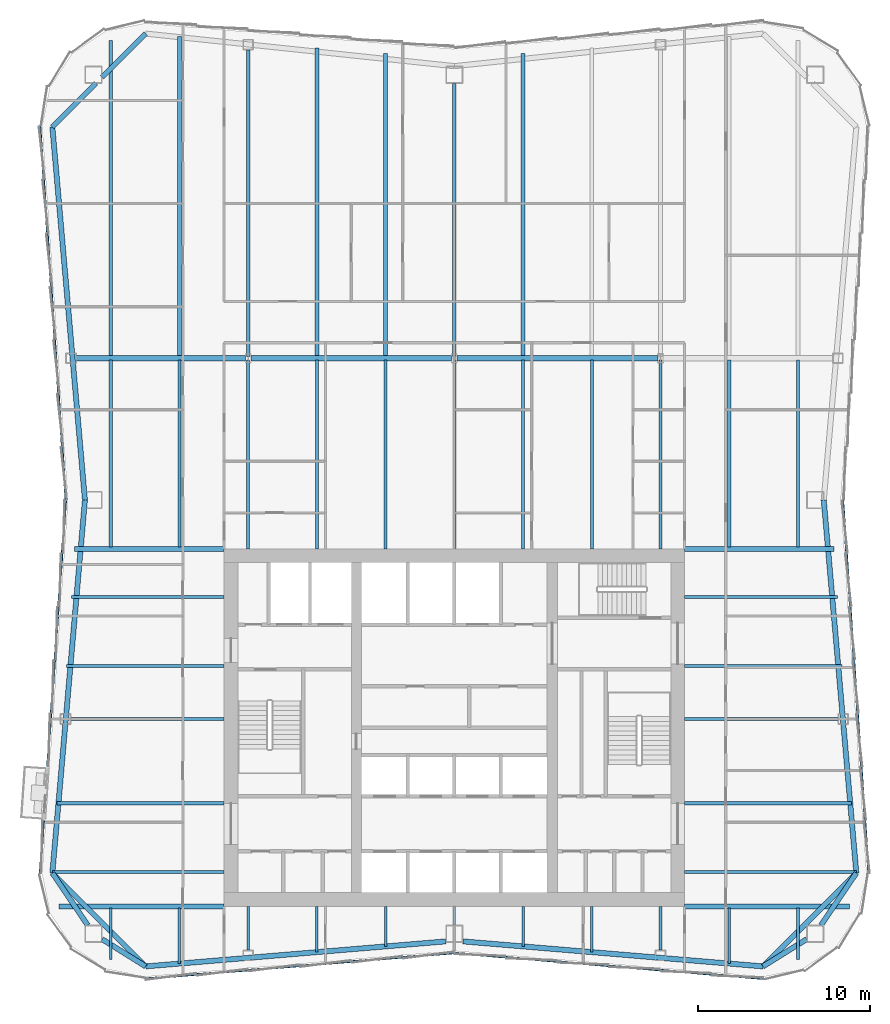
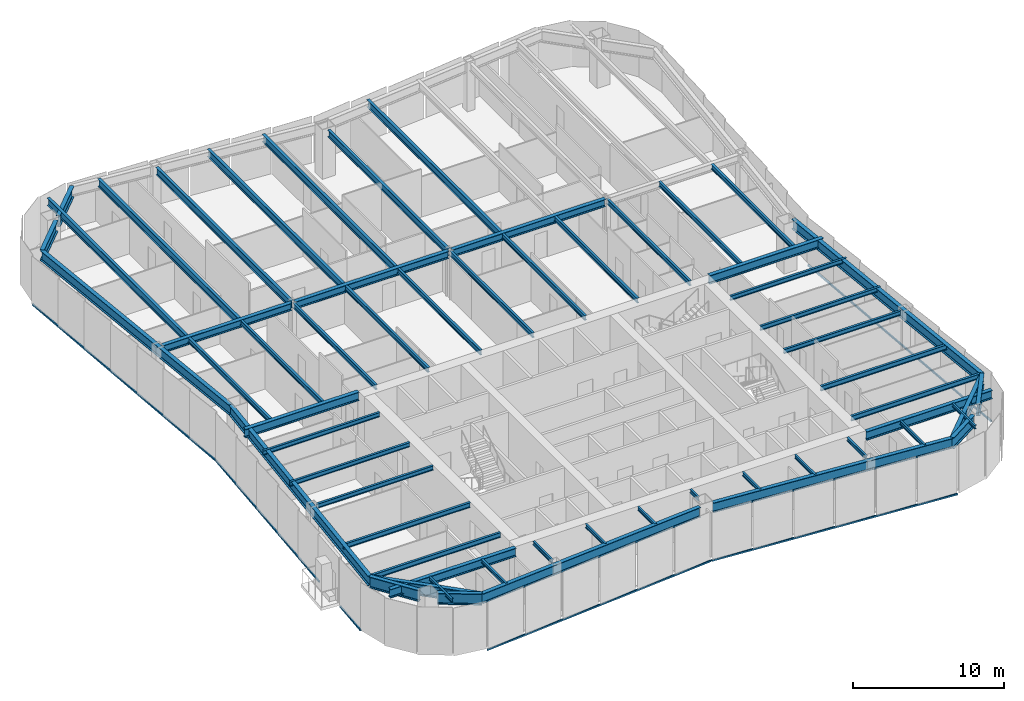
# One storey, part 3 of 12: 59 beams, 6 members, 3 elements without a shape of their own.
"""IFC4 building model written with IfcOpenShell, lengths in metres."""

from ifc_helpers import new_model, si_unit, direction, frame, origin, origin_2d, place, context, subcontext, project, spatial, rectangle, i_section, extrude, material, material_profile, profile_set, type_object, element, aggregate, save


model = new_model("IFC4")

# Units and contexts
model_context = context("Model", 3, precision=1e-05, world=origin(), true_north=direction((0.0, 1.0)))
body_context = subcontext(model_context, "Body", "Model", "MODEL_VIEW")
ifc_project = project(units=[si_unit("LENGTHUNIT", "METRE"), si_unit("AREAUNIT", "SQUARE_METRE"), si_unit("VOLUMEUNIT", "CUBIC_METRE"), si_unit("PLANEANGLEUNIT", "RADIAN"), si_unit("MASSUNIT", "GRAM", prefix="KILO")], contexts=[model_context])

# Site, building, storey
site_placement = place(None, origin())
site = spatial("IfcSite", under=ifc_project, at=site_placement, CompositionType="ELEMENT")
building_placement = place(site_placement, origin())
building = spatial("IfcBuilding", under=site, at=building_placement, Name="Verdant Reach Tower", CompositionType="ELEMENT")
storey_placement = place(building_placement, frame((0.0, 0.0, 270.0)))
storey = spatial("IfcBuildingStorey", under=building, at=storey_placement, Name="L62", CompositionType="ELEMENT", Elevation=270.0)

# Curtain wall, member
ifc_material_1 = material(Name="Anodised aluminium", Category="aluminium")
curtain_wall_type = type_object("IfcCurtainWallType", Name="EN-CW SYSTEM Z4", PredefinedType="NOTDEFINED", material=ifc_material_1)
curtain_wall_1_placement = place(storey_placement, origin())
curtain_wall_1 = element("IfcCurtainWall", 1, at=curtain_wall_1_placement, inside=storey, type_object=curtain_wall_type, Name="Curtain wall east, L62", PredefinedType="NOTDEFINED")
ifc_material_profile_1 = material_profile(ifc_material_1, rectangle(XDim=0.10009765625, YDim=0.1279296875, at=origin_2d()), Name="Transom 128x100")
ifc_profile_set_1 = profile_set([ifc_material_profile_1], Name="Anodised aluminium")
member_type = type_object("IfcMemberType", Name="EN-TRANSOM Z4", PredefinedType="USERDEFINED", material=ifc_profile_set_1)
member_1_placement = place(storey_placement, frame((24.109375, 19.52685546875, -0.285888671875), z_axis=(-0.068770489035, 0.997632507408, 0.0), x_axis=(-0.997632507408, -0.068770489035, 0.0)))
member_1 = element("IfcMember", 2, at=member_1_placement, type_object=member_type, Name="Transom east face part 1 1.1, L62", ObjectType="TRANSOM", PredefinedType="USERDEFINED", context=body_context, shape_type="SweptSolid", body=[
    extrude(rectangle(XDim=0.10009765625, YDim=0.1279296875, at=origin_2d()), origin(), (0.0, 0.0, 1.0), 21.74072265625),
])
aggregate(curtain_wall_1, [member_1])

# Curtain wall, members
curtain_wall_2_placement = place(storey_placement, origin())
curtain_wall_2 = element("IfcCurtainWall", 3, at=curtain_wall_2_placement, inside=storey, type_object=curtain_wall_type, Name="Curtain wall west, L62", PredefinedType="NOTDEFINED")
member_2_placement = place(storey_placement, frame((-24.109375, 62.97314453125, -0.285888671875), z_axis=(0.068770489035, -0.997632507408, 0.0), x_axis=(0.997632507408, 0.068770489035, 0.0)))
member_2 = element("IfcMember", 4, at=member_2_placement, type_object=member_type, Name="Transom west face part 1 1.1, L62", ObjectType="TRANSOM", PredefinedType="USERDEFINED", context=body_context, shape_type="SweptSolid", body=[
    extrude(rectangle(XDim=0.10009765625, YDim=0.1279296875, at=origin_2d()), origin(), (0.0, 0.0, 1.0), 21.74072265625),
])
member_3_placement = place(storey_placement, frame((-22.6142578125, 41.216064453125, -0.285888671875), z_axis=(-0.068829665926, -0.997628426363, 0.0), x_axis=(0.997628426363, -0.068829665926, 0.0)))
member_3 = element("IfcMember", 5, at=member_3_placement, type_object=member_type, Name="Transom west face part 2 1.1, L62", ObjectType="TRANSOM", PredefinedType="USERDEFINED", context=body_context, shape_type="SweptSolid", body=[
    extrude(rectangle(XDim=0.10009765625, YDim=0.1279296875, at=origin_2d()), origin(), (0.0, 0.0, 1.0), 15.4970703125),
])
member_4_placement = place(storey_placement, frame((-23.899658203125, 22.580810546875, -0.285888671875), z_axis=(-0.068509214601, -0.997650483644, 0.0), x_axis=(0.997650483644, -0.068509214601, 0.0)))
member_4 = element("IfcMember", 6, at=member_4_placement, type_object=member_type, Name="Transom west face part 2 2.1, L62", ObjectType="TRANSOM", PredefinedType="USERDEFINED", context=body_context, shape_type="SweptSolid", body=[
    extrude(rectangle(XDim=0.10009765625, YDim=0.1279296875, at=origin_2d()), origin(), (0.0, 0.0, 1.0), 3.06103515625),
])
aggregate(curtain_wall_2, [member_2, member_3, member_4])

curtain_wall_3_placement = place(storey_placement, origin())
curtain_wall_3 = element("IfcCurtainWall", 7, at=curtain_wall_3_placement, inside=storey, type_object=curtain_wall_type, Name="Curtain wall south, L62", PredefinedType="NOTDEFINED")
member_5_placement = place(storey_placement, frame((-17.972412109375, 13.39111328125, -0.285888671875), z_axis=(0.996549124771, 0.083005071637, 0.0), x_axis=(-0.083005071637, 0.996549124771, 0.0)))
member_5 = element("IfcMember", 8, at=member_5_placement, type_object=member_type, Name="Transom south face part 1 1.1, L62", ObjectType="TRANSOM", PredefinedType="USERDEFINED", context=body_context, shape_type="SweptSolid", body=[
    extrude(rectangle(XDim=0.10009765625, YDim=0.1279296875, at=origin_2d()), origin(), (0.0, 0.0, 1.0), 18.00048828125),
])
member_6_placement = place(storey_placement, frame((0.033935546875, 14.88525390625, -0.285888671875), z_axis=(0.996549124771, -0.083005071637, 0.0), x_axis=(0.083005071637, 0.996549124771, 0.0)))
member_6 = element("IfcMember", 9, at=member_6_placement, type_object=member_type, Name="Transom south face part 2 1.1, L62", ObjectType="TRANSOM", PredefinedType="USERDEFINED", context=body_context, shape_type="SweptSolid", body=[
    extrude(rectangle(XDim=0.10009765625, YDim=0.1279296875, at=origin_2d()), origin(), (0.0, 0.0, 1.0), 18.00048828125),
])
aggregate(curtain_wall_3, [member_5, member_6])

# Beams
ifc_material_2 = material(Name="Steel S355", Category="steel")
ifc_material_profile_2 = material_profile(ifc_material_2, i_section(OverallWidth=0.300048828125, OverallDepth=0.60009765625, WebThickness=0.015380859375, FlangeThickness=0.030029296875, FilletRadius=0.027099609375, at=origin_2d()), Name="HEB 600")
ifc_profile_set_2 = profile_set([ifc_material_profile_2], Name="Steel S355")
beam_type_1 = type_object("IfcBeamType", Name="ST-BEAM-HEB600", PredefinedType="BEAM", material=ifc_profile_set_2)
beam_1_placement = place(storey_placement, frame((-22.01904296875, 49.5, 3.570068359375), z_axis=(1.0, 0.0, 0.0), x_axis=(0.0, 1.0, 0.0)))
element("IfcBeam", 10, at=beam_1_placement, inside=storey, type_object=beam_type_1, Name="Row girder, L62", PredefinedType="BEAM", context=body_context, shape_type="SweptSolid", body=[
    extrude(i_section(OverallWidth=0.300048828125, OverallDepth=0.60009765625, WebThickness=0.015380859375, FlangeThickness=0.030029296875, FilletRadius=0.027099609375, at=origin_2d()), origin(), (0.0, 0.0, 1.0), 9.865966796875),
])
for number, where, z_axis, x_axis, name in (
    (11, (-11.846923828125, 49.5, 3.570068359375), (1.0, 0.0, 0.0), (0.0, 1.0, 0.0), "Row girder, L62"),
    (12, (0.153076171875, 49.5, 3.570068359375), (1.0, 0.0, 0.0), (0.0, 1.0, 0.0), "Row girder, L62"),
):
    element("IfcBeam", number, at=place(storey_placement, frame(where, z_axis=z_axis, x_axis=x_axis)), inside=storey, type_object=beam_type_1, Name=name, PredefinedType="BEAM", context=body_context, shape_type="SweptSolid", body=[
        extrude(i_section(OverallWidth=0.300048828125, OverallDepth=0.60009765625, WebThickness=0.015380859375, FlangeThickness=0.030029296875, FilletRadius=0.027099609375, at=origin_2d()), origin(), (0.0, 0.0, 1.0), 11.69384765625),
    ])
ifc_material_profile_3 = material_profile(ifc_material_2, i_section(OverallWidth=0.300048828125, OverallDepth=0.699951171875, WebThickness=0.01708984375, FlangeThickness=0.031982421875, FilletRadius=0.027099609375, at=origin_2d()), Name="HEB 700")
ifc_profile_set_3 = profile_set([ifc_material_profile_3], Name="Steel S355")
beam_type_2 = type_object("IfcBeamType", Name="ST-BEAM-HEB700", PredefinedType="BEAM", material=ifc_profile_set_3)
for number, where, z_axis, x_axis, name in (
    (13, (13.39990234375, 38.39990234375, 3.52001953125), (1.0, 0.0, 0.0), (0.0, 1.0, 0.0), "Trimmer beam, L62"),
    (14, (-13.39990234375, 38.39990234375, 3.52001953125), (-1.0, 0.0, 0.0), (0.0, -1.0, 0.0), "Trimmer beam, L62"),
):
    element("IfcBeam", number, at=place(storey_placement, frame(where, z_axis=z_axis, x_axis=x_axis)), inside=storey, type_object=beam_type_2, Name=name, PredefinedType="BEAM", context=body_context, shape_type="SweptSolid", body=[
        extrude(i_section(OverallWidth=0.300048828125, OverallDepth=0.699951171875, WebThickness=0.01708984375, FlangeThickness=0.031982421875, FilletRadius=0.027099609375, at=origin_2d()), origin(), (0.0, 0.0, 1.0), 8.6953125),
    ])
for number, where, z_axis, x_axis, name in (
    (15, (13.39990234375, 17.60009765625, 3.52001953125), (1.0, 0.0, 0.0), (0.0, 1.0, 0.0), "Trimmer beam, L62"),
    (16, (-13.39990234375, 17.60009765625, 3.52001953125), (-1.0, 0.0, 0.0), (0.0, -1.0, 0.0), "Trimmer beam, L62"),
):
    element("IfcBeam", number, at=place(storey_placement, frame(where, z_axis=z_axis, x_axis=x_axis)), inside=storey, type_object=beam_type_2, Name=name, PredefinedType="BEAM", context=body_context, shape_type="SweptSolid", body=[
        extrude(i_section(OverallWidth=0.300048828125, OverallDepth=0.699951171875, WebThickness=0.01708984375, FlangeThickness=0.031982421875, FilletRadius=0.027099609375, at=origin_2d()), origin(), (0.0, 0.0, 1.0), 9.6103515625),
    ])
ifc_material_profile_4 = material_profile(ifc_material_2, i_section(OverallWidth=0.302001953125, OverallDepth=0.909912109375, WebThickness=0.02099609375, FlangeThickness=0.0400390625, FilletRadius=0.030029296875, at=origin_2d()), Name="HEM 900")
ifc_profile_set_4 = profile_set([ifc_material_profile_4], Name="Steel S355")
beam_type_3 = type_object("IfcBeamType", Name="ST-BEAM-HEM900", PredefinedType="BEAM", material=ifc_profile_set_4)
beam_2_placement = place(storey_placement, frame((20.5, 15.687744140625, 3.4150390625), z_axis=(-0.848163521635, -0.529734500073, 0.0), x_axis=(0.529734500073, -0.848163521635, 0.0)))
element("IfcBeam", 17, at=beam_2_placement, inside=storey, type_object=beam_type_3, Name="Column stub beam, L62", PredefinedType="BEAM", context=body_context, shape_type="SweptSolid", body=[
    extrude(i_section(OverallWidth=0.302001953125, OverallDepth=0.909912109375, WebThickness=0.02099609375, FlangeThickness=0.0400390625, FilletRadius=0.030029296875, at=origin_2d()), origin(), (0.0, 0.0, 1.0), 2.98779296875),
])
beam_3_placement = place(storey_placement, frame((21.33837890625, 16.5, 3.4150390625), z_axis=(0.560703975309, 0.828016335631, 0.0), x_axis=(-0.828016335631, 0.560703975309, 0.0)))
element("IfcBeam", 18, at=beam_3_placement, inside=storey, type_object=beam_type_3, Name="Column stub beam, L62", PredefinedType="BEAM", context=body_context, shape_type="SweptSolid", body=[
    extrude(i_section(OverallWidth=0.302001953125, OverallDepth=0.909912109375, WebThickness=0.02099609375, FlangeThickness=0.0400390625, FilletRadius=0.030029296875, at=origin_2d()), origin(), (0.0, 0.0, 1.0), 3.669677734375),
])
beam_4_placement = place(storey_placement, frame((-20.5, 15.687744140625, 3.4150390625), z_axis=(0.848163521635, -0.529734500073, 0.0), x_axis=(0.529734500073, 0.848163521635, 0.0)))
element("IfcBeam", 19, at=beam_4_placement, inside=storey, type_object=beam_type_3, Name="Column stub beam, L62", PredefinedType="BEAM", context=body_context, shape_type="SweptSolid", body=[
    extrude(i_section(OverallWidth=0.302001953125, OverallDepth=0.909912109375, WebThickness=0.02099609375, FlangeThickness=0.0400390625, FilletRadius=0.030029296875, at=origin_2d()), origin(), (0.0, 0.0, 1.0), 2.98779296875),
])
beam_5_placement = place(storey_placement, frame((-21.33837890625, 16.5, 3.4150390625), z_axis=(-0.560703975309, 0.828016335631, 0.0), x_axis=(-0.828016335631, -0.560703975309, 0.0)))
element("IfcBeam", 20, at=beam_5_placement, inside=storey, type_object=beam_type_3, Name="Column stub beam, L62", PredefinedType="BEAM", context=body_context, shape_type="SweptSolid", body=[
    extrude(i_section(OverallWidth=0.302001953125, OverallDepth=0.909912109375, WebThickness=0.02099609375, FlangeThickness=0.0400390625, FilletRadius=0.030029296875, at=origin_2d()), origin(), (0.0, 0.0, 1.0), 3.669677734375),
])
ifc_material_profile_5 = material_profile(ifc_material_2, i_section(OverallWidth=0.14990234375, OverallDepth=0.300048828125, WebThickness=0.007080078125, FlangeThickness=0.0107421875, FilletRadius=0.014892578125, at=origin_2d()), Name="IPE 300")
ifc_profile_set_5 = profile_set([ifc_material_profile_5], Name="Steel S355")
beam_type_4 = type_object("IfcBeamType", Name="ST-JOIST-IPE300", PredefinedType="JOIST", material=ifc_profile_set_5)
beam_6_placement = place(storey_placement, frame((-20.0, 17.5, 3.719970703125), z_axis=(0.0, -1.0, 0.0), x_axis=(1.0, 0.0, 0.0)))
element("IfcBeam", 21, at=beam_6_placement, inside=storey, type_object=beam_type_4, Name="Floor joist, L62", PredefinedType="JOIST", context=body_context, shape_type="SweptSolid", body=[
    extrude(i_section(OverallWidth=0.14990234375, OverallDepth=0.300048828125, WebThickness=0.007080078125, FlangeThickness=0.0107421875, FilletRadius=0.014892578125, at=origin_2d()), origin(), (0.0, 0.0, 1.0), 2.990478515625),
])
beam_7_placement = place(storey_placement, frame((-16.0, 17.5, 3.719970703125), z_axis=(0.0, -1.0, 0.0), x_axis=(1.0, 0.0, 0.0)))
element("IfcBeam", 22, at=beam_7_placement, inside=storey, type_object=beam_type_4, Name="Floor joist, L62", PredefinedType="JOIST", context=body_context, shape_type="SweptSolid", body=[
    extrude(i_section(OverallWidth=0.14990234375, OverallDepth=0.300048828125, WebThickness=0.007080078125, FlangeThickness=0.0107421875, FilletRadius=0.014892578125, at=origin_2d()), origin(), (0.0, 0.0, 1.0), 3.231201171875),
])
beam_8_placement = place(storey_placement, frame((-12.0, 17.60009765625, 3.719970703125), z_axis=(0.0, -1.0, 0.0), x_axis=(1.0, 0.0, 0.0)))
element("IfcBeam", 23, at=beam_8_placement, inside=storey, type_object=beam_type_4, Name="Floor joist, L62", PredefinedType="JOIST", context=body_context, shape_type="SweptSolid", body=[
    extrude(i_section(OverallWidth=0.14990234375, OverallDepth=0.300048828125, WebThickness=0.007080078125, FlangeThickness=0.0107421875, FilletRadius=0.014892578125, at=origin_2d()), origin(), (0.0, 0.0, 1.0), 2.550048828125),
])
beam_9_placement = place(storey_placement, frame((-8.0, 17.60009765625, 3.719970703125), z_axis=(0.0, -1.0, 0.0), x_axis=(1.0, 0.0, 0.0)))
element("IfcBeam", 24, at=beam_9_placement, inside=storey, type_object=beam_type_4, Name="Floor joist, L62", PredefinedType="JOIST", context=body_context, shape_type="SweptSolid", body=[
    extrude(i_section(OverallWidth=0.14990234375, OverallDepth=0.300048828125, WebThickness=0.007080078125, FlangeThickness=0.0107421875, FilletRadius=0.014892578125, at=origin_2d()), origin(), (0.0, 0.0, 1.0), 2.664794921875),
])
beam_10_placement = place(storey_placement, frame((-4.0, 17.60009765625, 3.719970703125), z_axis=(0.0, -1.0, 0.0), x_axis=(1.0, 0.0, 0.0)))
element("IfcBeam", 25, at=beam_10_placement, inside=storey, type_object=beam_type_4, Name="Floor joist, L62", PredefinedType="JOIST", context=body_context, shape_type="SweptSolid", body=[
    extrude(i_section(OverallWidth=0.14990234375, OverallDepth=0.300048828125, WebThickness=0.007080078125, FlangeThickness=0.0107421875, FilletRadius=0.014892578125, at=origin_2d()), origin(), (0.0, 0.0, 1.0), 2.331298828125),
])
beam_11_placement = place(storey_placement, frame((0.0, 17.60009765625, 3.719970703125), z_axis=(0.0, -1.0, 0.0), x_axis=(1.0, 0.0, 0.0)))
element("IfcBeam", 26, at=beam_11_placement, inside=storey, type_object=beam_type_4, Name="Floor joist, L62", PredefinedType="JOIST", context=body_context, shape_type="SweptSolid", body=[
    extrude(i_section(OverallWidth=0.14990234375, OverallDepth=0.300048828125, WebThickness=0.007080078125, FlangeThickness=0.0107421875, FilletRadius=0.014892578125, at=origin_2d()), origin(), (0.0, 0.0, 1.0), 1.10009765625),
])
beam_12_placement = place(storey_placement, frame((4.0, 17.60009765625, 3.719970703125), z_axis=(0.0, -1.0, 0.0), x_axis=(1.0, 0.0, 0.0)))
element("IfcBeam", 27, at=beam_12_placement, inside=storey, type_object=beam_type_4, Name="Floor joist, L62", PredefinedType="JOIST", context=body_context, shape_type="SweptSolid", body=[
    extrude(i_section(OverallWidth=0.14990234375, OverallDepth=0.300048828125, WebThickness=0.007080078125, FlangeThickness=0.0107421875, FilletRadius=0.014892578125, at=origin_2d()), origin(), (0.0, 0.0, 1.0), 2.331298828125),
])
beam_13_placement = place(storey_placement, frame((8.0, 17.60009765625, 3.719970703125), z_axis=(0.0, -1.0, 0.0), x_axis=(1.0, 0.0, 0.0)))
element("IfcBeam", 28, at=beam_13_placement, inside=storey, type_object=beam_type_4, Name="Floor joist, L62", PredefinedType="JOIST", context=body_context, shape_type="SweptSolid", body=[
    extrude(i_section(OverallWidth=0.14990234375, OverallDepth=0.300048828125, WebThickness=0.007080078125, FlangeThickness=0.0107421875, FilletRadius=0.014892578125, at=origin_2d()), origin(), (0.0, 0.0, 1.0), 2.664794921875),
])
beam_14_placement = place(storey_placement, frame((12.0, 17.60009765625, 3.719970703125), z_axis=(0.0, -1.0, 0.0), x_axis=(1.0, 0.0, 0.0)))
element("IfcBeam", 29, at=beam_14_placement, inside=storey, type_object=beam_type_4, Name="Floor joist, L62", PredefinedType="JOIST", context=body_context, shape_type="SweptSolid", body=[
    extrude(i_section(OverallWidth=0.14990234375, OverallDepth=0.300048828125, WebThickness=0.007080078125, FlangeThickness=0.0107421875, FilletRadius=0.014892578125, at=origin_2d()), origin(), (0.0, 0.0, 1.0), 2.550048828125),
])
beam_15_placement = place(storey_placement, frame((16.0, 17.5, 3.719970703125), z_axis=(0.0, -1.0, 0.0), x_axis=(1.0, 0.0, 0.0)))
element("IfcBeam", 30, at=beam_15_placement, inside=storey, type_object=beam_type_4, Name="Floor joist, L62", PredefinedType="JOIST", context=body_context, shape_type="SweptSolid", body=[
    extrude(i_section(OverallWidth=0.14990234375, OverallDepth=0.300048828125, WebThickness=0.007080078125, FlangeThickness=0.0107421875, FilletRadius=0.014892578125, at=origin_2d()), origin(), (0.0, 0.0, 1.0), 3.231201171875),
])
beam_16_placement = place(storey_placement, frame((20.0, 17.5, 3.719970703125), z_axis=(0.0, -1.0, 0.0), x_axis=(1.0, 0.0, 0.0)))
element("IfcBeam", 31, at=beam_16_placement, inside=storey, type_object=beam_type_4, Name="Floor joist, L62", PredefinedType="JOIST", context=body_context, shape_type="SweptSolid", body=[
    extrude(i_section(OverallWidth=0.14990234375, OverallDepth=0.300048828125, WebThickness=0.007080078125, FlangeThickness=0.0107421875, FilletRadius=0.014892578125, at=origin_2d()), origin(), (0.0, 0.0, 1.0), 2.990478515625),
])
ifc_material_profile_6 = material_profile(ifc_material_2, i_section(OverallWidth=0.169921875, OverallDepth=0.360107421875, WebThickness=0.008056640625, FlangeThickness=0.0126953125, FilletRadius=0.01806640625, at=origin_2d()), Name="IPE 360")
ifc_profile_set_6 = profile_set([ifc_material_profile_6], Name="Steel S355")
beam_type_5 = type_object("IfcBeamType", Name="ST-JOIST-IPE360", PredefinedType="JOIST", material=ifc_profile_set_6)
for number, where, z_axis, x_axis, name in (
    (32, (13.39990234375, 28.5, 3.68994140625), (1.0, 0.0, 0.0), (0.0, 1.0, 0.0), "Floor joist, L62"),
    (33, (-13.39990234375, 28.5, 3.68994140625), (-1.0, 0.0, 0.0), (0.0, -1.0, 0.0), "Floor joist, L62"),
):
    element("IfcBeam", number, at=place(storey_placement, frame(where, z_axis=z_axis, x_axis=x_axis)), inside=storey, type_object=beam_type_5, Name=name, PredefinedType="JOIST", context=body_context, shape_type="SweptSolid", body=[
        extrude(i_section(OverallWidth=0.169921875, OverallDepth=0.360107421875, WebThickness=0.008056640625, FlangeThickness=0.0126953125, FilletRadius=0.01806640625, at=origin_2d()), origin(), (0.0, 0.0, 1.0), 8.929443359375),
    ])
for number, where, z_axis, x_axis, name in (
    (34, (13.39990234375, 31.60009765625, 3.68994140625), (1.0, 0.0, 0.0), (0.0, 1.0, 0.0), "Floor joist, L62"),
    (35, (-13.39990234375, 31.60009765625, 3.68994140625), (-1.0, 0.0, 0.0), (0.0, -1.0, 0.0), "Floor joist, L62"),
):
    element("IfcBeam", number, at=place(storey_placement, frame(where, z_axis=z_axis, x_axis=x_axis)), inside=storey, type_object=beam_type_5, Name=name, PredefinedType="JOIST", context=body_context, shape_type="SweptSolid", body=[
        extrude(i_section(OverallWidth=0.169921875, OverallDepth=0.360107421875, WebThickness=0.008056640625, FlangeThickness=0.0126953125, FilletRadius=0.01806640625, at=origin_2d()), origin(), (0.0, 0.0, 1.0), 9.164306640625),
    ])
for number, where, z_axis, x_axis, name in (
    (36, (13.39990234375, 35.60009765625, 3.68994140625), (1.0, 0.0, 0.0), (0.0, 1.0, 0.0), "Floor joist, L62"),
    (37, (-13.39990234375, 35.60009765625, 3.68994140625), (-1.0, 0.0, 0.0), (0.0, -1.0, 0.0), "Floor joist, L62"),
):
    element("IfcBeam", number, at=place(storey_placement, frame(where, z_axis=z_axis, x_axis=x_axis)), inside=storey, type_object=beam_type_5, Name=name, PredefinedType="JOIST", context=body_context, shape_type="SweptSolid", body=[
        extrude(i_section(OverallWidth=0.169921875, OverallDepth=0.360107421875, WebThickness=0.008056640625, FlangeThickness=0.0126953125, FilletRadius=0.01806640625, at=origin_2d()), origin(), (0.0, 0.0, 1.0), 8.88818359375),
    ])
ifc_material_profile_7 = material_profile(ifc_material_2, i_section(OverallWidth=0.179931640625, OverallDepth=0.39990234375, WebThickness=0.008544921875, FlangeThickness=0.013427734375, FilletRadius=0.02099609375, at=origin_2d()), Name="IPE 400")
ifc_profile_set_7 = profile_set([ifc_material_profile_7], Name="Steel S355")
beam_type_6 = type_object("IfcBeamType", Name="ST-JOIST-IPE400", PredefinedType="JOIST", material=ifc_profile_set_7)
for number, where, z_axis, x_axis, name in (
    (38, (-20.0, 38.5, 3.669921875), (0.0, 1.0, 0.0), (-1.0, 0.0, 0.0), "Floor joist, L62"),
    (39, (-16.0, 38.5, 3.669921875), (0.0, 1.0, 0.0), (-1.0, 0.0, 0.0), "Floor joist, L62"),
):
    element("IfcBeam", number, at=place(storey_placement, frame(where, z_axis=z_axis, x_axis=x_axis)), inside=storey, type_object=beam_type_6, Name=name, PredefinedType="JOIST", context=body_context, shape_type="SweptSolid", body=[
        extrude(i_section(OverallWidth=0.179931640625, OverallDepth=0.39990234375, WebThickness=0.008544921875, FlangeThickness=0.013427734375, FilletRadius=0.02099609375, at=origin_2d()), origin(), (0.0, 0.0, 1.0), 10.89990234375),
    ])
for number, where, z_axis, x_axis, name in (
    (40, (-12.0, 38.39990234375, 3.669921875), (0.0, 1.0, 0.0), (-1.0, 0.0, 0.0), "Floor joist, L62"),
    (41, (-8.0, 38.39990234375, 3.669921875), (0.0, 1.0, 0.0), (-1.0, 0.0, 0.0), "Floor joist, L62"),
    (42, (-4.0, 38.39990234375, 3.669921875), (0.0, 1.0, 0.0), (-1.0, 0.0, 0.0), "Floor joist, L62"),
    (43, (0.0, 38.39990234375, 3.669921875), (0.0, 1.0, 0.0), (-1.0, 0.0, 0.0), "Floor joist, L62"),
    (44, (4.0, 38.39990234375, 3.669921875), (0.0, 1.0, 0.0), (-1.0, 0.0, 0.0), "Floor joist, L62"),
    (45, (8.0, 38.39990234375, 3.669921875), (0.0, 1.0, 0.0), (-1.0, 0.0, 0.0), "Floor joist, L62"),
    (46, (12.0, 38.39990234375, 3.669921875), (0.0, 1.0, 0.0), (-1.0, 0.0, 0.0), "Floor joist, L62"),
):
    element("IfcBeam", number, at=place(storey_placement, frame(where, z_axis=z_axis, x_axis=x_axis)), inside=storey, type_object=beam_type_6, Name=name, PredefinedType="JOIST", context=body_context, shape_type="SweptSolid", body=[
        extrude(i_section(OverallWidth=0.179931640625, OverallDepth=0.39990234375, WebThickness=0.008544921875, FlangeThickness=0.013427734375, FilletRadius=0.02099609375, at=origin_2d()), origin(), (0.0, 0.0, 1.0), 11.0),
    ])
for number, where, z_axis, x_axis, name in (
    (47, (16.0, 38.5, 3.669921875), (0.0, 1.0, 0.0), (-1.0, 0.0, 0.0), "Floor joist, L62"),
    (48, (20.0, 38.5, 3.669921875), (0.0, 1.0, 0.0), (-1.0, 0.0, 0.0), "Floor joist, L62"),
):
    element("IfcBeam", number, at=place(storey_placement, frame(where, z_axis=z_axis, x_axis=x_axis)), inside=storey, type_object=beam_type_6, Name=name, PredefinedType="JOIST", context=body_context, shape_type="SweptSolid", body=[
        extrude(i_section(OverallWidth=0.179931640625, OverallDepth=0.39990234375, WebThickness=0.008544921875, FlangeThickness=0.013427734375, FilletRadius=0.02099609375, at=origin_2d()), origin(), (0.0, 0.0, 1.0), 10.89990234375),
    ])
for number, where, z_axis, x_axis, name in (
    (49, (13.39990234375, 19.60009765625, 3.669921875), (1.0, 0.0, 0.0), (0.0, 1.0, 0.0), "Floor joist, L62"),
    (50, (-13.39990234375, 19.60009765625, 3.669921875), (-1.0, 0.0, 0.0), (0.0, -1.0, 0.0), "Floor joist, L62"),
):
    element("IfcBeam", number, at=place(storey_placement, frame(where, z_axis=z_axis, x_axis=x_axis)), inside=storey, type_object=beam_type_6, Name=name, PredefinedType="JOIST", context=body_context, shape_type="SweptSolid", body=[
        extrude(i_section(OverallWidth=0.179931640625, OverallDepth=0.39990234375, WebThickness=0.008544921875, FlangeThickness=0.013427734375, FilletRadius=0.02099609375, at=origin_2d()), origin(), (0.0, 0.0, 1.0), 9.99169921875),
    ])
for number, where, z_axis, x_axis, name in (
    (51, (13.39990234375, 23.60009765625, 3.669921875), (1.0, 0.0, 0.0), (0.0, 1.0, 0.0), "Floor joist, L62"),
    (52, (-13.39990234375, 23.60009765625, 3.669921875), (-1.0, 0.0, 0.0), (0.0, -1.0, 0.0), "Floor joist, L62"),
):
    element("IfcBeam", number, at=place(storey_placement, frame(where, z_axis=z_axis, x_axis=x_axis)), inside=storey, type_object=beam_type_6, Name=name, PredefinedType="JOIST", context=body_context, shape_type="SweptSolid", body=[
        extrude(i_section(OverallWidth=0.179931640625, OverallDepth=0.39990234375, WebThickness=0.008544921875, FlangeThickness=0.013427734375, FilletRadius=0.02099609375, at=origin_2d()), origin(), (0.0, 0.0, 1.0), 9.7158203125),
    ])
ifc_material_profile_8 = material_profile(ifc_material_2, i_section(OverallWidth=0.2099609375, OverallDepth=0.550048828125, WebThickness=0.010986328125, FlangeThickness=0.01708984375, FilletRadius=0.02392578125, at=origin_2d()), Name="IPE 550")
ifc_profile_set_8 = profile_set([ifc_material_profile_8], Name="Steel S355")
beam_type_7 = type_object("IfcBeamType", Name="ST-JOIST-IPE550", PredefinedType="JOIST", material=ifc_profile_set_8)
beam_17_placement = place(storey_placement, frame((0.0, 49.60009765625, 3.594970703125), z_axis=(0.0, 1.0, 0.0), x_axis=(-1.0, 0.0, 0.0)))
element("IfcBeam", 53, at=beam_17_placement, inside=storey, type_object=beam_type_7, Name="Floor joist, L62", PredefinedType="JOIST", context=body_context, shape_type="SweptSolid", body=[
    extrude(i_section(OverallWidth=0.2099609375, OverallDepth=0.550048828125, WebThickness=0.010986328125, FlangeThickness=0.01708984375, FilletRadius=0.02392578125, at=origin_2d()), origin(), (0.0, 0.0, 1.0), 15.89990234375),
])
ifc_material_profile_9 = material_profile(ifc_material_2, i_section(OverallWidth=0.219970703125, OverallDepth=0.60009765625, WebThickness=0.011962890625, FlangeThickness=0.01904296875, FilletRadius=0.02392578125, at=origin_2d()), Name="IPE 600")
ifc_profile_set_9 = profile_set([ifc_material_profile_9], Name="Steel S355")
beam_type_8 = type_object("IfcBeamType", Name="ST-JOIST-IPE600", PredefinedType="JOIST", material=ifc_profile_set_9)
beam_18_placement = place(storey_placement, frame((-20.0, 49.60009765625, 3.570068359375), z_axis=(0.0, 1.0, 0.0), x_axis=(-1.0, 0.0, 0.0)))
element("IfcBeam", 54, at=beam_18_placement, inside=storey, type_object=beam_type_8, Name="Floor joist, L62", PredefinedType="JOIST", context=body_context, shape_type="SweptSolid", body=[
    extrude(i_section(OverallWidth=0.219970703125, OverallDepth=0.60009765625, WebThickness=0.011962890625, FlangeThickness=0.01904296875, FilletRadius=0.02392578125, at=origin_2d()), origin(), (0.0, 0.0, 1.0), 18.390380859375),
])
beam_19_placement = place(storey_placement, frame((-16.0, 49.60009765625, 3.570068359375), z_axis=(0.0, 1.0, 0.0), x_axis=(-1.0, 0.0, 0.0)))
element("IfcBeam", 55, at=beam_19_placement, inside=storey, type_object=beam_type_8, Name="Floor joist, L62", PredefinedType="JOIST", context=body_context, shape_type="SweptSolid", body=[
    extrude(i_section(OverallWidth=0.219970703125, OverallDepth=0.60009765625, WebThickness=0.011962890625, FlangeThickness=0.01904296875, FilletRadius=0.02392578125, at=origin_2d()), origin(), (0.0, 0.0, 1.0), 18.631103515625),
])
beam_20_placement = place(storey_placement, frame((-12.0, 49.60009765625, 3.570068359375), z_axis=(0.0, 1.0, 0.0), x_axis=(-1.0, 0.0, 0.0)))
element("IfcBeam", 56, at=beam_20_placement, inside=storey, type_object=beam_type_8, Name="Floor joist, L62", PredefinedType="JOIST", context=body_context, shape_type="SweptSolid", body=[
    extrude(i_section(OverallWidth=0.219970703125, OverallDepth=0.60009765625, WebThickness=0.011962890625, FlangeThickness=0.01904296875, FilletRadius=0.02392578125, at=origin_2d()), origin(), (0.0, 0.0, 1.0), 17.849853515625),
])
beam_21_placement = place(storey_placement, frame((-8.0, 49.60009765625, 3.570068359375), z_axis=(0.0, 1.0, 0.0), x_axis=(-1.0, 0.0, 0.0)))
element("IfcBeam", 57, at=beam_21_placement, inside=storey, type_object=beam_type_8, Name="Floor joist, L62", PredefinedType="JOIST", context=body_context, shape_type="SweptSolid", body=[
    extrude(i_section(OverallWidth=0.219970703125, OverallDepth=0.60009765625, WebThickness=0.011962890625, FlangeThickness=0.01904296875, FilletRadius=0.02392578125, at=origin_2d()), origin(), (0.0, 0.0, 1.0), 17.964599609375),
])
for number, where, z_axis, x_axis, name in (
    (58, (-4.0, 49.60009765625, 3.570068359375), (0.0, 1.0, 0.0), (-1.0, 0.0, 0.0), "Floor joist, L62"),
    (59, (4.0, 49.60009765625, 3.570068359375), (0.0, 1.0, 0.0), (-1.0, 0.0, 0.0), "Floor joist, L62"),
):
    element("IfcBeam", number, at=place(storey_placement, frame(where, z_axis=z_axis, x_axis=x_axis)), inside=storey, type_object=beam_type_8, Name=name, PredefinedType="JOIST", context=body_context, shape_type="SweptSolid", body=[
        extrude(i_section(OverallWidth=0.219970703125, OverallDepth=0.60009765625, WebThickness=0.011962890625, FlangeThickness=0.01904296875, FilletRadius=0.02392578125, at=origin_2d()), origin(), (0.0, 0.0, 1.0), 17.631103515625),
    ])
ifc_material_profile_10 = material_profile(ifc_material_2, i_section(OverallWidth=0.300048828125, OverallDepth=0.800048828125, WebThickness=0.017578125, FlangeThickness=0.032958984375, FilletRadius=0.030029296875, at=origin_2d()), Name="HEB 800")
ifc_profile_set_10 = profile_set([ifc_material_profile_10], Name="Steel S355")
beam_type_9 = type_object("IfcBeamType", Name="ST-SPANDREL-HEB800", PredefinedType="SPANDREL", material=ifc_profile_set_10)
for number, where, z_axis, x_axis, name in (
    (60, (17.9658203125, 14.10498046875, 3.469970703125), (-0.99654652675, 0.083036257282, 0.0), (-0.083036257282, -0.99654652675, 0.0), "Edge beam, L62"),
    (61, (-0.5, 15.560302734375, 3.469970703125), (-0.99654652675, -0.083036257282, 0.0), (0.083036257282, -0.99654652675, 0.0), "Edge beam, L62"),
):
    element("IfcBeam", number, at=place(storey_placement, frame(where, z_axis=z_axis, x_axis=x_axis)), inside=storey, type_object=beam_type_9, Name=name, PredefinedType="SPANDREL", context=body_context, shape_type="SweptSolid", body=[
        extrude(i_section(OverallWidth=0.300048828125, OverallDepth=0.800048828125, WebThickness=0.017578125, FlangeThickness=0.032958984375, FilletRadius=0.030029296875, at=origin_2d()), origin(), (0.0, 0.0, 1.0), 17.5263671875),
    ])
for number, where, z_axis, x_axis, name in (
    (62, (-23.39599609375, 19.53857421875, 3.469970703125), (0.086996024331, 0.996208658741, 0.0), (-0.996208658741, 0.086996024331, 0.0), "Edge beam, L62"),
    (63, (-21.5, 41.25, 3.469970703125), (-0.086996024331, 0.996208658741, 0.0), (-0.996208658741, -0.086996024331, 0.0), "Edge beam, L62"),
    (64, (21.5, 41.25, 3.469970703125), (0.086996024331, -0.996208658741, 0.0), (0.996208658741, 0.086996024331, 0.0), "Edge beam, L62"),
):
    element("IfcBeam", number, at=place(storey_placement, frame(where, z_axis=z_axis, x_axis=x_axis)), inside=storey, type_object=beam_type_9, Name=name, PredefinedType="SPANDREL", context=body_context, shape_type="SweptSolid", body=[
        extrude(i_section(OverallWidth=0.300048828125, OverallDepth=0.800048828125, WebThickness=0.017578125, FlangeThickness=0.032958984375, FilletRadius=0.030029296875, at=origin_2d()), origin(), (0.0, 0.0, 1.0), 21.7939453125),
    ])
ifc_material_profile_11 = material_profile(ifc_material_2, i_section(OverallWidth=0.302001953125, OverallDepth=0.909912109375, WebThickness=0.02099609375, FlangeThickness=0.0400390625, FilletRadius=0.030029296875, at=origin_2d()), Name="HEM 900")
ifc_profile_set_11 = profile_set([ifc_material_profile_11], Name="Steel S355")
beam_type_10 = type_object("IfcBeamType", Name="ST-SPANDREL-HEM900", PredefinedType="SPANDREL", material=ifc_profile_set_11)
beam_22_placement = place(storey_placement, frame((-17.9658203125, 14.10498046875, 3.4150390625), z_axis=(-0.706884275642, 0.707329216738, 0.0), x_axis=(-0.707329216738, -0.706884275642, 0.0)))
element("IfcBeam", 65, at=beam_22_placement, inside=storey, type_object=beam_type_10, Name="Edge beam, L62", PredefinedType="SPANDREL", context=body_context, shape_type="SweptSolid", body=[
    extrude(i_section(OverallWidth=0.302001953125, OverallDepth=0.909912109375, WebThickness=0.02099609375, FlangeThickness=0.0400390625, FilletRadius=0.030029296875, at=origin_2d()), origin(), (0.0, 0.0, 1.0), 7.681884765625),
])
beam_23_placement = place(storey_placement, frame((-23.39599609375, 62.96142578125, 3.4150390625), z_axis=(0.706902680526, 0.707310822952, 0.0), x_axis=(-0.707310822952, 0.706902680526, 0.0)))
element("IfcBeam", 66, at=beam_23_placement, inside=storey, type_object=beam_type_10, Name="Edge beam, L62", PredefinedType="SPANDREL", context=body_context, shape_type="SweptSolid", body=[
    extrude(i_section(OverallWidth=0.302001953125, OverallDepth=0.909912109375, WebThickness=0.02099609375, FlangeThickness=0.0400390625, FilletRadius=0.030029296875, at=origin_2d()), origin(), (0.0, 0.0, 1.0), 3.589111328125),
])
beam_24_placement = place(storey_placement, frame((-20.5, 65.859130859375, 3.4150390625), z_axis=(0.706868394255, 0.707345087777, 0.0), x_axis=(-0.707345087777, 0.706868394255, 0.0)))
element("IfcBeam", 67, at=beam_24_placement, inside=storey, type_object=beam_type_10, Name="Edge beam, L62", PredefinedType="SPANDREL", context=body_context, shape_type="SweptSolid", body=[
    extrude(i_section(OverallWidth=0.302001953125, OverallDepth=0.909912109375, WebThickness=0.02099609375, FlangeThickness=0.0400390625, FilletRadius=0.030029296875, at=origin_2d()), origin(), (0.0, 0.0, 1.0), 3.5849609375),
])
beam_25_placement = place(storey_placement, frame((23.39599609375, 19.53857421875, 3.4150390625), z_axis=(-0.706884275642, -0.707329216738, 0.0), x_axis=(0.707329216738, -0.706884275642, 0.0)))
element("IfcBeam", 68, at=beam_25_placement, inside=storey, type_object=beam_type_10, Name="Edge beam, L62", PredefinedType="SPANDREL", context=body_context, shape_type="SweptSolid", body=[
    extrude(i_section(OverallWidth=0.302001953125, OverallDepth=0.909912109375, WebThickness=0.02099609375, FlangeThickness=0.0400390625, FilletRadius=0.030029296875, at=origin_2d()), origin(), (0.0, 0.0, 1.0), 7.681884765625),
])

save(model, "model.ifc")
